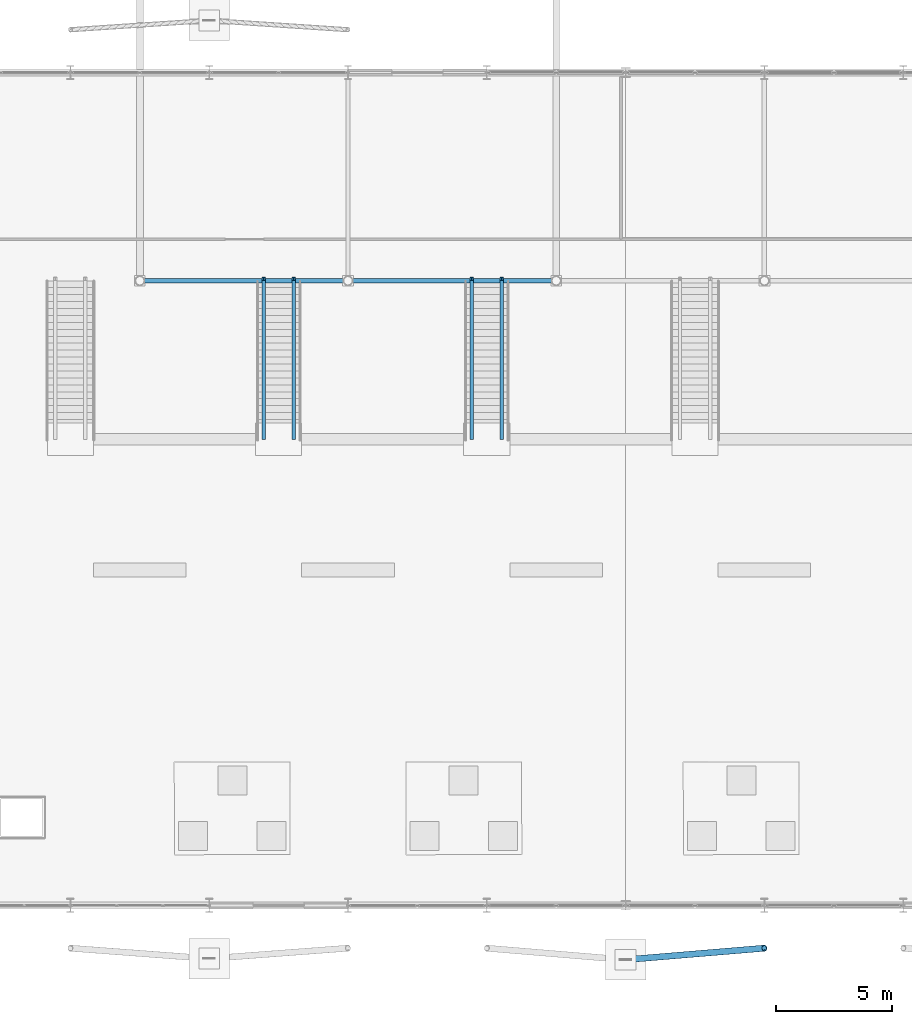
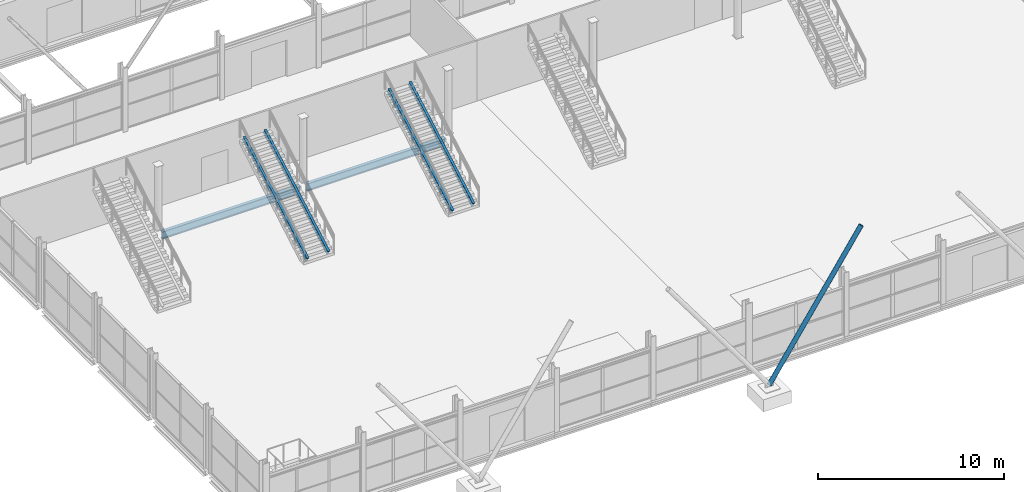
# One storey, part 30 of 140: 5 members, 2 beams.
"""IFC4 building model written with IfcOpenShell, lengths in metres."""

from ifc_helpers import new_model, si_unit, direction, frame, origin, origin_2d, place, context, subcontext, project, spatial, hollow_circle, i_section, extrude, material, material_profile, profile_set, type_object, element, save


model = new_model("IFC4")

# Units and contexts
model_context = context("Model", 3, precision=1e-05, world=origin(), true_north=direction((0.0, 1.0)))
body_context = subcontext(model_context, "Body", "Model", "MODEL_VIEW")
ifc_project = project(units=[si_unit("LENGTHUNIT", "METRE"), si_unit("AREAUNIT", "SQUARE_METRE"), si_unit("VOLUMEUNIT", "CUBIC_METRE"), si_unit("PLANEANGLEUNIT", "RADIAN"), si_unit("MASSUNIT", "GRAM", prefix="KILO")], contexts=[model_context])

# Site, building, storey
site_placement = place(None, origin())
site = spatial("IfcSite", under=ifc_project, at=site_placement, CompositionType="ELEMENT")
building_placement = place(site_placement, origin())
building = spatial("IfcBuilding", under=site, at=building_placement, Name="Deido Ridge Mobility Hub", CompositionType="ELEMENT")
storey_placement = place(building_placement, origin())
storey = spatial("IfcBuildingStorey", under=building, at=storey_placement, Name="L00", CompositionType="ELEMENT", Elevation=0.0)

# Beams
ifc_material_1 = material(Name="Steel S355J2 EN 10025-2", Category="steel")
ifc_material_profile_1 = material_profile(ifc_material_1, i_section(OverallWidth=0.199951171875, OverallDepth=0.5, WebThickness=0.01025390625, FlangeThickness=0.01611328125, FilletRadius=0.02099609375, at=origin_2d()), Name="IPE 500")
ifc_profile_set_1 = profile_set([ifc_material_profile_1], Name="Steel S355J2 EN 10025-2")
beam_type = type_object("IfcBeamType", Name="BM-IPE500", PredefinedType="BEAM", material=ifc_profile_set_1)
for number, where, z_axis, x_axis, name in (
    (1, (9.203125, 27.0, -0.510009765625), (1.0, 0.0, 0.0), (0.0, 1.0, 0.0), "Floor beam B3"),
    (2, (18.203125, 27.0, -0.510009765625), (1.0, 0.0, 0.0), (0.0, 1.0, 0.0), "Floor beam B3"),
):
    element("IfcBeam", number, at=place(storey_placement, frame(where, z_axis=z_axis, x_axis=x_axis)), inside=storey, type_object=beam_type, Name=name, PredefinedType="BEAM", context=body_context, shape_type="SweptSolid", body=[
        extrude(i_section(OverallWidth=0.199951171875, OverallDepth=0.5, WebThickness=0.01025390625, FlangeThickness=0.01611328125, FilletRadius=0.02099609375, at=origin_2d()), origin(), (0.0, 0.0, 1.0), 8.59375),
    ])

# Members
ifc_material_2 = material(Name="Steel S355J2H EN 10210-1", Category="steel")
ifc_material_profile_2 = material_profile(ifc_material_2, hollow_circle(Radius=0.136474609375, WallThickness=0.012451171875, at=origin_2d()), Name="CHS 273x12.5")
ifc_profile_set_2 = profile_set([ifc_material_profile_2], Name="Steel S355J2H EN 10210-1")
member_type_1 = type_object("IfcMemberType", Name="MEM-BRC-CHS273", PredefinedType="BRACE", material=ifc_profile_set_2)
member_placement = place(storey_placement, frame((30.0, -2.35009765625, 0.1650390625), z_axis=(0.595208239736, 0.049600686645, 0.80203922799), x_axis=(-0.083045479854, 0.996545758245, 0.0)))
element("IfcMember", 3, at=member_placement, inside=storey, type_object=member_type_1, Name="Deconstructivist exoskeleton raked V-strut BR1", PredefinedType="BRACE", context=body_context, shape_type="SweptSolid", body=[
    extrude(hollow_circle(Radius=0.136474609375, WallThickness=0.012451171875, at=origin_2d()), origin(), (0.0, 0.0, 1.0), 10.08056640625),
])
ifc_material_profile_3 = material_profile(ifc_material_1, i_section(OverallWidth=0.14990234375, OverallDepth=0.300048828125, WebThickness=0.007080078125, FlangeThickness=0.0107421875, FilletRadius=0.014892578125, at=origin_2d()), Name="IPE 300")
ifc_profile_set_3 = profile_set([ifc_material_profile_3], Name="Steel S355J2 EN 10025-2")
member_type_2 = type_object("IfcMemberType", Name="MEM-STG-IPE300", PredefinedType="STRINGER", material=ifc_profile_set_3)
for number, where, z_axis, x_axis, name in (
    (4, (14.35009765625, 20.219970703125, 0.1650390625), (0.0, 0.871783430325, 0.489891468196), (-1.0, 0.0, 0.0), "Concourse stair steel stringer SG1"),
    (5, (15.64990234375, 20.219970703125, 0.1650390625), (0.0, 0.871783430325, 0.489891468196), (-1.0, 0.0, 0.0), "Concourse stair steel stringer SG1"),
    (6, (23.35009765625, 20.219970703125, 0.1650390625), (0.0, 0.871783430325, 0.489891468196), (-1.0, 0.0, 0.0), "Concourse stair steel stringer SG1"),
    (7, (24.64990234375, 20.219970703125, 0.1650390625), (0.0, 0.871783430325, 0.489891468196), (-1.0, 0.0, 0.0), "Concourse stair steel stringer SG1"),
):
    element("IfcMember", number, at=place(storey_placement, frame(where, z_axis=z_axis, x_axis=x_axis)), inside=storey, type_object=member_type_2, Name=name, PredefinedType="STRINGER", context=body_context, shape_type="SweptSolid", body=[
        extrude(i_section(OverallWidth=0.14990234375, OverallDepth=0.300048828125, WebThickness=0.007080078125, FlangeThickness=0.0107421875, FilletRadius=0.014892578125, at=origin_2d()), origin(), (0.0, 0.0, 1.0), 7.869140625),
    ])

save(model, "model.ifc")
